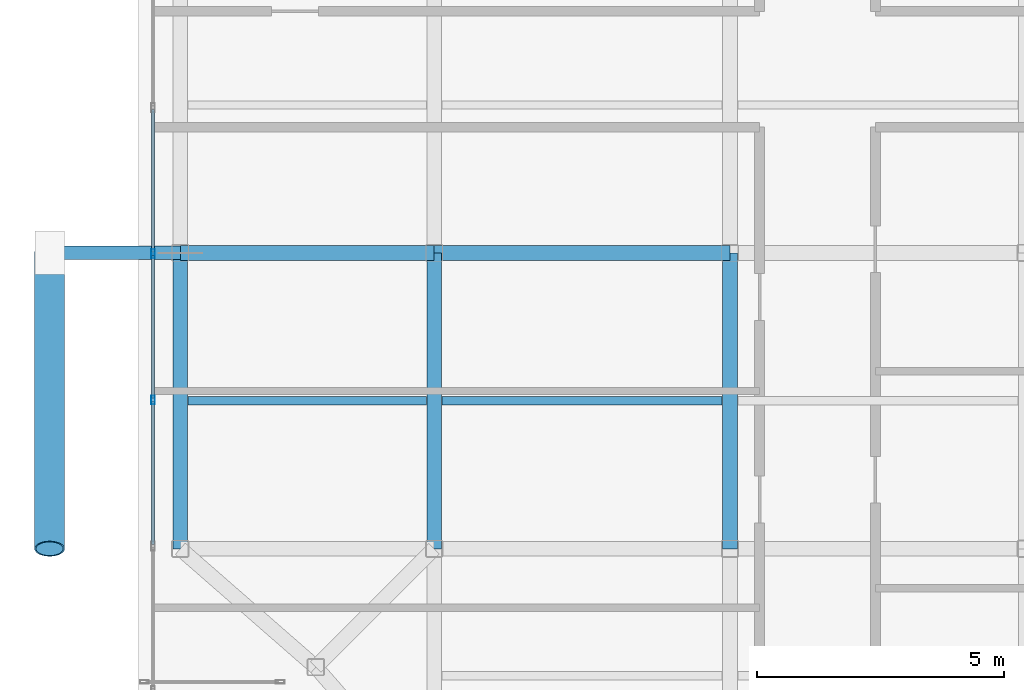
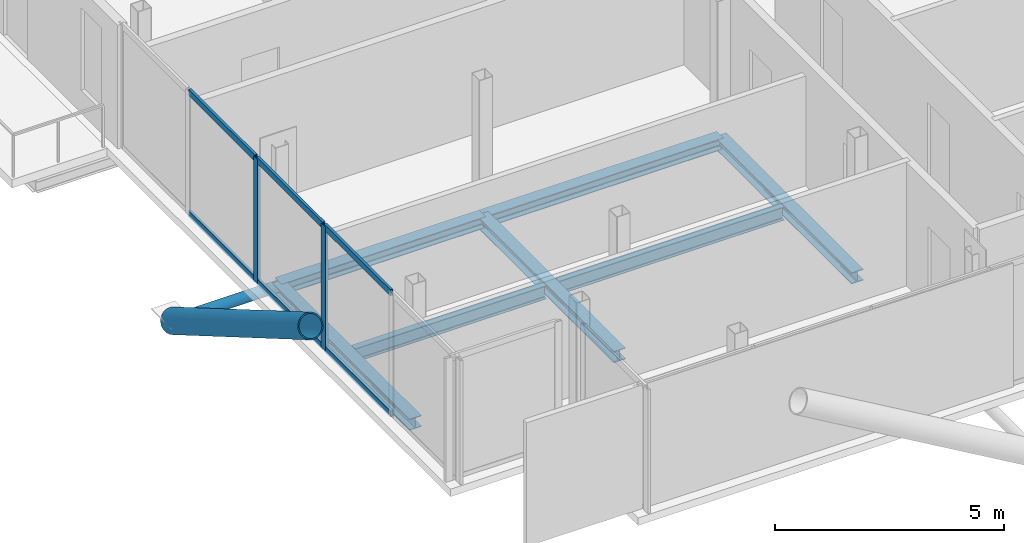
# One storey, part 3 of 18: 10 members, 7 beams, 1 element without a shape of its own.
"""IFC4 building model written with IfcOpenShell, lengths in metres."""

from ifc_helpers import new_model, si_unit, direction, frame, origin, origin_2d, place, context, subcontext, project, spatial, hollow_rectangle, hollow_circle, i_section, extrude, material, layer, layer_set, material_profile, profile_set, type_object, element, aggregate, save


model = new_model("IFC4")

# Units and contexts
model_context = context("Model", 3, precision=1e-05, world=origin(), true_north=direction((0.0, 1.0)))
body_context = subcontext(model_context, "Body", "Model", "MODEL_VIEW")
ifc_project = project(units=[si_unit("LENGTHUNIT", "METRE"), si_unit("AREAUNIT", "SQUARE_METRE"), si_unit("VOLUMEUNIT", "CUBIC_METRE"), si_unit("PLANEANGLEUNIT", "RADIAN"), si_unit("MASSUNIT", "GRAM", prefix="KILO"), si_unit("THERMODYNAMICTEMPERATUREUNIT", "KELVIN"), si_unit("POWERUNIT", "WATT")], contexts=[model_context])

# Site, building, storey
site_placement = place(None, origin())
site = spatial("IfcSite", under=ifc_project, at=site_placement, CompositionType="ELEMENT")
building_placement = place(site_placement, origin())
building = spatial("IfcBuilding", under=site, at=building_placement, Name="Svarakhadi Broadcast Tower", CompositionType="ELEMENT")
storey_placement = place(building_placement, frame((0.0, 0.0, 274.699951171875)))
storey = spatial("IfcBuildingStorey", under=building, at=storey_placement, Name="L69", CompositionType="ELEMENT", Elevation=274.699951171875)

# Beams
ifc_material_1 = material(Name="Steel S355J2 (IS 2062 E350C)", Category="steel")
ifc_material_profile_1 = material_profile(ifc_material_1, i_section(OverallWidth=0.169921875, OverallDepth=0.360107421875, WebThickness=0.008056640625, FlangeThickness=0.0126953125, FilletRadius=0.01806640625, at=origin_2d()), Name="NPB 360x170x57")
ifc_profile_set_1 = profile_set([ifc_material_profile_1], Name="Steel S355J2 (IS 2062 E350C)")
beam_type_1 = type_object("IfcBeamType", Name="Beam_NPB360", PredefinedType="BEAM", material=ifc_profile_set_1)
beam_1_placement = place(storey_placement, frame((1.010009765625, 9.0, -0.3798828125), z_axis=(1.0, 0.0, 0.0), x_axis=(0.0, 1.0, 0.0)))
element("IfcBeam", 1, at=beam_1_placement, inside=storey, type_object=beam_type_1, Name="L69 Secondary Composite Beam SB001", PredefinedType="BEAM", context=body_context, shape_type="SweptSolid", body=[
    extrude(i_section(OverallWidth=0.169921875, OverallDepth=0.360107421875, WebThickness=0.008056640625, FlangeThickness=0.0126953125, FilletRadius=0.01806640625, at=origin_2d()), origin(), (0.0, 0.0, 1.0), 4.830078125),
])
beam_2_placement = place(storey_placement, frame((6.159912109375, 9.0, -0.3798828125), z_axis=(1.0, 0.0, 0.0), x_axis=(0.0, 1.0, 0.0)))
element("IfcBeam", 2, at=beam_2_placement, inside=storey, type_object=beam_type_1, Name="L69 Secondary Composite Beam SB005", PredefinedType="BEAM", context=body_context, shape_type="SweptSolid", body=[
    extrude(i_section(OverallWidth=0.169921875, OverallDepth=0.360107421875, WebThickness=0.008056640625, FlangeThickness=0.0126953125, FilletRadius=0.01806640625, at=origin_2d()), origin(), (0.0, 0.0, 1.0), 5.68017578125),
])

# Curtain wall, members
ifc_material_2 = material(Name="Anodised Bronze Aluminium AA 6063-T6", Category="aluminium")
ifc_layer = layer(ifc_material_2, 0.179931640625)
ifc_layer_set = layer_set([ifc_layer], Name="Anodised Bronze Aluminium AA 6063-T6")
curtain_wall_type = type_object("IfcCurtainWallType", Name="CW_Sys_05", PredefinedType="NOTDEFINED", material=ifc_layer_set)
curtain_wall_placement = place(storey_placement, origin())
curtain_wall = element("IfcCurtainWall", 3, at=curtain_wall_placement, inside=storey, type_object=curtain_wall_type, Name="L69 West Curtain Wall 02", PredefinedType="NOTDEFINED")
ifc_material_profile_2 = material_profile(ifc_material_2, hollow_rectangle(XDim=0.070068359375, YDim=0.179931640625, WallThickness=0.005615234375, at=origin_2d()), Name="ALU MULLION 180x70x6")
ifc_profile_set_2 = profile_set([ifc_material_profile_2], Name="Anodised Bronze Aluminium AA 6063-T6")
member_type_1 = type_object("IfcMemberType", Name="CW_Sys_05_Mul", PredefinedType="MULLION", material=ifc_profile_set_2)
member_1_placement = place(storey_placement, frame((0.300048828125, 9.01806640625, 0.0), z_axis=(0.0, 0.0, 1.0), x_axis=(-1.0, 0.0, 0.0)))
member_1 = element("IfcMember", 4, at=member_1_placement, type_object=member_type_1, Name="CW-05 mullion 3", PredefinedType="MULLION", context=body_context, shape_type="SweptSolid", body=[
    extrude(hollow_rectangle(XDim=0.070068359375, YDim=0.179931640625, WallThickness=0.005615234375, at=origin_2d()), origin(), (0.0, 0.0, 1.0), 3.300048828125),
])
member_2_placement = place(storey_placement, frame((0.300048828125, 11.98193359375, 0.0), z_axis=(0.0, 0.0, 1.0), x_axis=(-1.0, 0.0, 0.0)))
member_2 = element("IfcMember", 5, at=member_2_placement, type_object=member_type_1, Name="CW-05 mullion 4", PredefinedType="MULLION", context=body_context, shape_type="SweptSolid", body=[
    extrude(hollow_rectangle(XDim=0.070068359375, YDim=0.179931640625, WallThickness=0.005615234375, at=origin_2d()), origin(), (0.0, 0.0, 1.0), 3.300048828125),
])
ifc_material_profile_3 = material_profile(ifc_material_2, hollow_rectangle(XDim=0.06494140625, YDim=0.1650390625, WallThickness=0.0048828125, at=origin_2d()), Name="ALU TRANSOM 165x65x5")
ifc_profile_set_3 = profile_set([ifc_material_profile_3], Name="Anodised Bronze Aluminium AA 6063-T6")
member_type_2 = type_object("IfcMemberType", Name="CW_Sys_05_Trn", PredefinedType="USERDEFINED", material=ifc_profile_set_3)
member_3_placement = place(storey_placement, frame((0.300048828125, 6.089111328125, 0.032470703125), z_axis=(0.0, 1.0, 0.0), x_axis=(-1.0, 0.0, 0.0)))
member_3 = element("IfcMember", 6, at=member_3_placement, type_object=member_type_2, Name="CW-05 transom 2.1", ObjectType="TRANSOM", PredefinedType="USERDEFINED", context=body_context, shape_type="SweptSolid", body=[
    extrude(hollow_rectangle(XDim=0.06494140625, YDim=0.1650390625, WallThickness=0.0048828125, at=origin_2d()), origin(), (0.0, 0.0, 1.0), 2.893798828125),
])
member_4_placement = place(storey_placement, frame((0.300048828125, 6.089111328125, 3.267578125), z_axis=(0.0, 1.0, 0.0), x_axis=(-1.0, 0.0, 0.0)))
member_4 = element("IfcMember", 7, at=member_4_placement, type_object=member_type_2, Name="CW-05 transom 2.2", ObjectType="TRANSOM", PredefinedType="USERDEFINED", context=body_context, shape_type="SweptSolid", body=[
    extrude(hollow_rectangle(XDim=0.06494140625, YDim=0.1650390625, WallThickness=0.0048828125, at=origin_2d()), origin(), (0.0, 0.0, 1.0), 2.893798828125),
])
member_5_placement = place(storey_placement, frame((0.300048828125, 9.052978515625, 0.032470703125), z_axis=(0.0, 1.0, 0.0), x_axis=(-1.0, 0.0, 0.0)))
member_5 = element("IfcMember", 8, at=member_5_placement, type_object=member_type_2, Name="CW-05 transom 3.1", ObjectType="TRANSOM", PredefinedType="USERDEFINED", context=body_context, shape_type="SweptSolid", body=[
    extrude(hollow_rectangle(XDim=0.06494140625, YDim=0.1650390625, WallThickness=0.0048828125, at=origin_2d()), origin(), (0.0, 0.0, 1.0), 2.89404296875),
])
member_6_placement = place(storey_placement, frame((0.300048828125, 9.052978515625, 3.267578125), z_axis=(0.0, 1.0, 0.0), x_axis=(-1.0, 0.0, 0.0)))
member_6 = element("IfcMember", 9, at=member_6_placement, type_object=member_type_2, Name="CW-05 transom 3.2", ObjectType="TRANSOM", PredefinedType="USERDEFINED", context=body_context, shape_type="SweptSolid", body=[
    extrude(hollow_rectangle(XDim=0.06494140625, YDim=0.1650390625, WallThickness=0.0048828125, at=origin_2d()), origin(), (0.0, 0.0, 1.0), 2.89404296875),
])
member_7_placement = place(storey_placement, frame((0.300048828125, 12.01708984375, 0.032470703125), z_axis=(0.0, 1.0, 0.0), x_axis=(-1.0, 0.0, 0.0)))
member_7 = element("IfcMember", 10, at=member_7_placement, type_object=member_type_2, Name="CW-05 transom 4.1", ObjectType="TRANSOM", PredefinedType="USERDEFINED", context=body_context, shape_type="SweptSolid", body=[
    extrude(hollow_rectangle(XDim=0.06494140625, YDim=0.1650390625, WallThickness=0.0048828125, at=origin_2d()), origin(), (0.0, 0.0, 1.0), 2.893798828125),
])
member_8_placement = place(storey_placement, frame((0.300048828125, 12.01708984375, 3.267578125), z_axis=(0.0, 1.0, 0.0), x_axis=(-1.0, 0.0, 0.0)))
member_8 = element("IfcMember", 11, at=member_8_placement, type_object=member_type_2, Name="CW-05 transom 4.2", ObjectType="TRANSOM", PredefinedType="USERDEFINED", context=body_context, shape_type="SweptSolid", body=[
    extrude(hollow_rectangle(XDim=0.06494140625, YDim=0.1650390625, WallThickness=0.0048828125, at=origin_2d()), origin(), (0.0, 0.0, 1.0), 2.893798828125),
])
aggregate(curtain_wall, [member_1, member_2, member_3, member_4, member_5, member_6, member_7, member_8])

# Members
ifc_material_3 = material(Name="Steel S460ML (IS 2062 E450BR)", Category="steel")
ifc_material_profile_4 = material_profile(ifc_material_3, hollow_circle(Radius=0.304931640625, WallThickness=0.030029296875, at=origin_2d()), Name="CHS 610x30")
ifc_profile_set_4 = profile_set([ifc_material_profile_4], Name="Steel S460ML (IS 2062 E450BR)")
member_type_3 = type_object("IfcMemberType", Name="Exo_Brace_CHS610", PredefinedType="BRACE", material=ifc_profile_set_4)
member_9_placement = place(storey_placement, frame((-1.800048828125, 12.0, -0.33642578125), z_axis=(0.0, -0.863778900898, 0.503871025524), x_axis=(1.0, 0.0, 0.0)))
element("IfcMember", 12, at=member_9_placement, inside=storey, type_object=member_type_3, Name="L69 Exposed Bronze Exoskeleton Diagonal W03", PredefinedType="BRACE", context=body_context, shape_type="SweptSolid", body=[
    extrude(hollow_circle(Radius=0.304931640625, WallThickness=0.030029296875, at=origin_2d()), origin(), (0.0, 0.0, 1.0), 6.9462890625),
])
ifc_material_profile_5 = material_profile(ifc_material_3, hollow_circle(Radius=0.136474609375, WallThickness=0.012451171875, at=origin_2d()), Name="CHS 273x12.5")
ifc_profile_set_5 = profile_set([ifc_material_profile_5], Name="Steel S460ML (IS 2062 E450BR)")
member_type_4 = type_object("IfcMemberType", Name="Exo_Radial_Strut_Z3", PredefinedType="STRUT", material=ifc_profile_set_5)
member_10_placement = place(storey_placement, frame((-1.800048828125, 12.0, -0.33642578125), z_axis=(1.0, 0.0, 0.0), x_axis=(0.0, 1.0, 0.0)))
element("IfcMember", 13, at=member_10_placement, inside=storey, type_object=member_type_4, Name="L69 Exoskeleton Radial Tie Strut W02", PredefinedType="STRUT", context=body_context, shape_type="SweptSolid", body=[
    extrude(hollow_circle(Radius=0.136474609375, WallThickness=0.012451171875, at=origin_2d()), origin(), (0.0, 0.0, 1.0), 2.650146484375),
])

# Beams
ifc_material_profile_6 = material_profile(ifc_material_1, i_section(OverallWidth=0.300048828125, OverallDepth=0.300048828125, WebThickness=0.010986328125, FlangeThickness=0.01904296875, FilletRadius=0.027099609375, at=origin_2d()), Name="WPB 300x300x117")
ifc_profile_set_6 = profile_set([ifc_material_profile_6], Name="Steel S355J2 (IS 2062 E350C)")
beam_type_2 = type_object("IfcBeamType", Name="Girder_WPB300", PredefinedType="USERDEFINED", material=ifc_profile_set_6)
beam_3_placement = place(storey_placement, frame((0.85009765625, 12.0, -0.349853515625), z_axis=(1.0, 0.0, 0.0), x_axis=(0.0, 1.0, 0.0)))
element("IfcBeam", 14, at=beam_3_placement, inside=storey, type_object=beam_type_2, Name="L69 Primary E-W Girder G013", ObjectType="GIRDER", PredefinedType="USERDEFINED", context=body_context, shape_type="SweptSolid", body=[
    extrude(i_section(OverallWidth=0.300048828125, OverallDepth=0.300048828125, WebThickness=0.010986328125, FlangeThickness=0.01904296875, FilletRadius=0.027099609375, at=origin_2d()), origin(), (0.0, 0.0, 1.0), 5.14990234375),
])
for number, where, z_axis, x_axis, name in (
    (15, (6.0, 12.0, -0.349853515625), (1.0, 0.0, 0.0), (0.0, 1.0, 0.0), "L69 Primary E-W Girder G014"),
    (16, (0.85009765625, 6.0, -0.349853515625), (0.0, 1.0, 0.0), (-1.0, 0.0, 0.0), "L69 Primary N-S Girder G026"),
    (17, (6.0, 6.0, -0.349853515625), (0.0, 1.0, 0.0), (-1.0, 0.0, 0.0), "L69 Primary N-S Girder G030"),
    (18, (12.0, 6.0, -0.349853515625), (0.0, 1.0, 0.0), (-1.0, 0.0, 0.0), "L69 Primary N-S Girder G034"),
):
    element("IfcBeam", number, at=place(storey_placement, frame(where, z_axis=z_axis, x_axis=x_axis)), inside=storey, type_object=beam_type_2, Name=name, ObjectType="GIRDER", PredefinedType="USERDEFINED", context=body_context, shape_type="SweptSolid", body=[
        extrude(i_section(OverallWidth=0.300048828125, OverallDepth=0.300048828125, WebThickness=0.010986328125, FlangeThickness=0.01904296875, FilletRadius=0.027099609375, at=origin_2d()), origin(), (0.0, 0.0, 1.0), 6.0),
    ])

save(model, "model.ifc")
